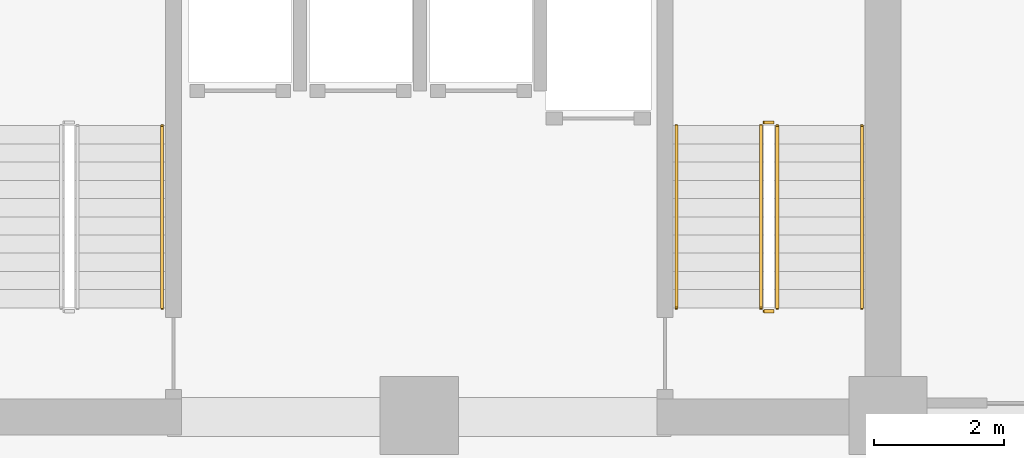
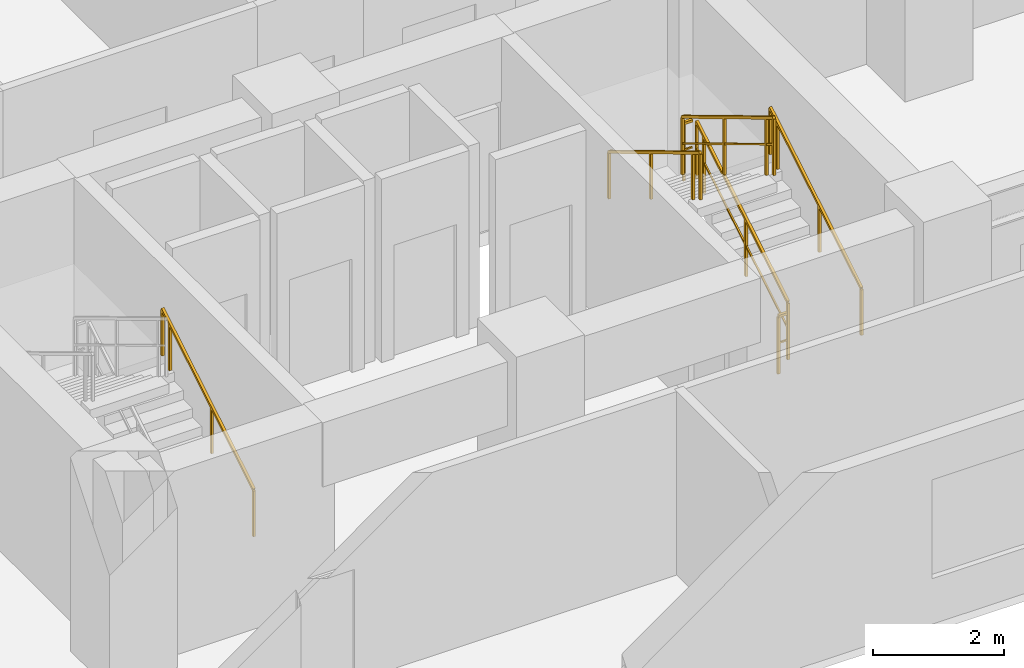
# One storey, part 10 of 11: 7 railings.
"""IFC4 building model written with IfcOpenShell, lengths in metres."""

import ifcopenshell
import ifcopenshell.guid

model = None  # the IFC model being written
_history = None  # IfcOwnerHistory: only IFC2X3 demands one
_inside = {}  # id of a spatial element -> (the spatial element, [elements in it])
_under = {}  # id of a project, library or spatial element -> (it, [spatial elements below it])
_declared = {}  # id of a project -> (the project, [libraries it declares])
_typed = {}  # id of a type object -> (the type object, [elements of that type])
_made_of = {}  # id of a material, layer set ... -> (it, [elements and type objects made of it])


def new_model(schema):
    """Start an empty IFC model of exactly this schema.

    Asked for "IFC4X3", IfcOpenShell would pick the latest addendum, in which some entities
    have other attributes; the version numbers below select the first issue.
    IFC2X3 requires an IfcOwnerHistory on every rooted entity: one is made here for all.
    """
    global model, _history
    if schema == "IFC4X3":
        model = ifcopenshell.file(schema_version=(4, 3, 0, 0))
    else:
        model = ifcopenshell.file(schema=schema)
    _inside.clear()
    _under.clear()
    _declared.clear()
    _typed.clear()
    _made_of.clear()
    _history = None
    if model.schema == "IFC2X3":
        org = make("IfcOrganization", Name="unknown")
        user = make(
            "IfcPersonAndOrganization",
            ThePerson=make("IfcPerson", FamilyName="unknown"),
            TheOrganization=org,
        )
        app = make(
            "IfcApplication",
            ApplicationDeveloper=org,
            Version="unknown",
            ApplicationFullName="unknown",
            ApplicationIdentifier="unknown",
        )
        _history = make(
            "IfcOwnerHistory",
            OwningUser=user,
            OwningApplication=app,
            ChangeAction="ADDED",
            CreationDate=0,
        )
    return model


def make(cls, **values):
    """One entity of the class cls with the attributes given. An attribute that is None is left unset."""
    return model.create_entity(
        cls, **{name: value for name, value in values.items() if value is not None}
    )


def rooted(cls, **values):
    """An entity with a GlobalId (a new one), such as an element, a storey or a relation."""
    return make(cls, GlobalId=ifcopenshell.guid.new(), OwnerHistory=_history, **values)


def si_unit(unit_type, name, prefix=None):
    """IfcSIUnit, for example si_unit("LENGTHUNIT", "METRE", prefix="MILLI")."""
    return make("IfcSIUnit", UnitType=unit_type, Prefix=prefix, Name=name)


def assignment(units):
    """IfcUnitAssignment: the units of a project."""
    return None if units is None else make("IfcUnitAssignment", Units=units)


def point(xyz):
    """IfcCartesianPoint."""
    return None if xyz is None else make("IfcCartesianPoint", Coordinates=xyz)


def direction(xyz):
    """IfcDirection."""
    return None if xyz is None else make("IfcDirection", DirectionRatios=xyz)


def frame(location, z_axis=None, x_axis=None):
    """IfcAxis2Placement3D, a coordinate frame: its origin and axes. An axis left out is left unset."""
    return make(
        "IfcAxis2Placement3D",
        Location=point(location),
        Axis=direction(z_axis),
        RefDirection=direction(x_axis),
    )


def frame_2d(location, x_axis=None):
    """IfcAxis2Placement2D, a coordinate frame in the plane: its origin and x axis."""
    return make(
        "IfcAxis2Placement2D", Location=point(location), RefDirection=direction(x_axis)
    )


def origin():
    """The frame at (0, 0, 0) with its axes left unset."""
    return frame((0.0, 0.0, 0.0))


def origin_2d():
    """The frame at (0, 0) in the plane with its x axis left unset."""
    return frame_2d((0.0, 0.0))


def place(relative_to, where):
    """IfcLocalPlacement: puts the frame where relative to a parent placement (None: the world)."""
    return make(
        "IfcLocalPlacement", PlacementRelTo=relative_to, RelativePlacement=where
    )


def context(
    kind, dimensions, precision=None, world=None, true_north=None, identifier=None
):
    """IfcGeometricRepresentationContext, for example the 3D "Model" context."""
    return make(
        "IfcGeometricRepresentationContext",
        ContextIdentifier=identifier,
        ContextType=kind,
        CoordinateSpaceDimension=dimensions,
        Precision=precision,
        WorldCoordinateSystem=world,
        TrueNorth=true_north,
    )


def subcontext(parent, identifier, kind, view, scale=None):
    """IfcGeometricRepresentationSubContext, for example "Body" below "Model"."""
    return make(
        "IfcGeometricRepresentationSubContext",
        ContextIdentifier=identifier,
        ContextType=kind,
        ParentContext=parent,
        TargetScale=scale,
        TargetView=view,
    )


def project(units=None, contexts=None):
    """IfcProject with its units and contexts."""
    return rooted(
        "IfcProject",
        Name="project",
        RepresentationContexts=contexts,
        UnitsInContext=assignment(units),
    )


def spatial(cls, under=None, at=None, **own):
    """A site, building, storey or space (cls), placed at a placement, below another one or the project."""
    s = rooted(cls, ObjectPlacement=at, **own)
    if under is not None:
        _under.setdefault(under.id(), (under, []))[1].append(s)
    return s


def profile(cls, at=None, kind="AREA", **sizes):
    """A parametric profile (cls). Its sizes go by their IFC names, for example OverallWidth=200.0."""
    return make(cls, ProfileType=kind, Position=at, **sizes)


def rectangle(**sizes):
    """IfcRectangleProfileDef."""
    return profile("IfcRectangleProfileDef", **sizes)


def extrude(swept, where, along, depth):
    """IfcExtrudedAreaSolid: the profile swept, set in the frame where, extruded along a direction by depth."""
    return make(
        "IfcExtrudedAreaSolid",
        SweptArea=swept,
        Position=where,
        ExtrudedDirection=direction(along),
        Depth=depth,
    )


def shape(context_of_items, identifier, shape_type, items):
    """IfcShapeRepresentation: the items that make up one representation, for example the "Body"."""
    return make(
        "IfcShapeRepresentation",
        ContextOfItems=context_of_items,
        RepresentationIdentifier=identifier,
        RepresentationType=shape_type,
        Items=items,
    )


def material(Name=None, Category=None):
    """IfcMaterial."""
    return make("IfcMaterial", Name=Name, Category=Category)


def made_of(thing, what):
    """Note that an element or type object is made of a material, layer set ...; save() writes the relation."""
    if what is not None:
        _made_of.setdefault(what.id(), (what, []))[1].append(thing)
    return thing


def type_object(cls, material=None, **own):
    """A type object (cls), such as IfcWallType, which elements share."""
    return made_of(rooted(cls, **own), material)


def element(
    cls,
    number,
    at=None,
    inside=None,
    cuts=None,
    type_object=None,
    material=None,
    context=None,
    identifier="Body",
    shape_type=None,
    held_by="IfcProductDefinitionShape",
    body=None,
    shapes=None,
    **own,
):
    """One element of the class cls, such as IfcWall. Its Tag is "e" and its number.

    at: its placement. inside: the storey or other place that contains it. cuts: it is an
    opening in that element (IfcRelVoidsElement). A single representation is given by context,
    identifier, shape_type and body (its items); several are given by shapes. held_by: the class
    of the entity that holds the representations. save() writes the other relations.
    """
    e = rooted(cls, Tag="e%d" % number, ObjectPlacement=at, **own)
    if body is not None:
        shapes = [shape(context, identifier, shape_type, body)]
    if shapes is not None:
        e.Representation = make(held_by, Representations=shapes)
    if inside is not None:
        _inside.setdefault(inside.id(), (inside, []))[1].append(e)
    if cuts is not None:
        rooted(
            "IfcRelVoidsElement", RelatingBuildingElement=cuts, RelatedOpeningElement=e
        )
    if type_object is not None:
        _typed.setdefault(type_object.id(), (type_object, []))[1].append(e)
    return made_of(e, material)


def aggregate(whole, parts):
    """IfcRelAggregates: a whole, such as a stair, and the parts it consists of."""
    return rooted("IfcRelAggregates", RelatingObject=whole, RelatedObjects=parts)


def save(model, path):
    """Write the relations noted so far, then the file.

    IfcRelAggregates (storeys below a building ...), IfcRelContainedInSpatialStructure (elements
    in a storey), IfcRelDefinesByType, IfcRelAssociatesMaterial and IfcRelDeclares: one each for
    every whole, place, type object, material and project.
    """
    for whole, parts in _under.values():
        aggregate(whole, parts)
    for where, things in _inside.values():
        rooted(
            "IfcRelContainedInSpatialStructure",
            RelatedElements=things,
            RelatingStructure=where,
        )
    for kind, things in _typed.values():
        rooted("IfcRelDefinesByType", RelatedObjects=things, RelatingType=kind)
    for what, things in _made_of.values():
        rooted("IfcRelAssociatesMaterial", RelatedObjects=things, RelatingMaterial=what)
    for by, libraries in _declared.values():
        rooted("IfcRelDeclares", RelatingContext=by, RelatedDefinitions=libraries)
    model.write(path)


model = new_model("IFC4")

# Units and contexts
model_context = context("Model", 3, precision=1e-05, world=origin(), true_north=direction((0.0, 1.0)))
body_context = subcontext(model_context, "Body", "Model", "MODEL_VIEW")
ifc_project = project(units=[si_unit("LENGTHUNIT", "METRE"), si_unit("AREAUNIT", "SQUARE_METRE"), si_unit("VOLUMEUNIT", "CUBIC_METRE"), si_unit("PLANEANGLEUNIT", "RADIAN"), si_unit("MASSUNIT", "GRAM", prefix="KILO")], contexts=[model_context])

# Site, building, storey
site_placement = place(None, origin())
site = spatial("IfcSite", under=ifc_project, at=site_placement, CompositionType="ELEMENT")
building_placement = place(site_placement, origin())
building = spatial("IfcBuilding", under=site, at=building_placement, Name="Kaliganga Portal Commons", CompositionType="ELEMENT")
storey_placement = place(building_placement, frame((0.0, 0.0, 89.699951171875)))
storey = spatial("IfcBuildingStorey", under=building, at=storey_placement, Name="L22", CompositionType="ELEMENT", Elevation=89.699951171875)

# Railings
ifc_material_1 = material(Name="Galvanized Painted Steel Balustrade", Category="steel")
railing_type_1 = type_object("IfcRailingType", Name="RLG-STAIR-GRD", PredefinedType="GUARDRAIL", material=ifc_material_1)
railing_1_placement = place(storey_placement, frame((48.699951171875, 8.699951171875, 0.168212890625)))
element("IfcRailing", 1, at=railing_1_placement, inside=storey, type_object=railing_type_1, Name="L22 ST-B2 stair guard 1", PredefinedType="GUARDRAIL", context=body_context, shape_type="SweptSolid", body=[
    extrude(rectangle(XDim=0.048095703125, YDim=0.048095703125, at=origin_2d()), frame((0.0, 0.0, 1.072021484375), z_axis=(0.0, 0.857242210791, 0.514913383045), x_axis=(-1.0, 0.0, 0.0)), (0.0, 0.0, 1.0), 3.266357421875),
    extrude(rectangle(XDim=0.028076171875, YDim=0.028076171875, at=origin_2d()), frame((0.0, 0.0, 0.572021484375), z_axis=(0.0, 0.857242210791, 0.514913383045), x_axis=(-1.0, 0.0, 0.0)), (0.0, 0.0, 1.0), 3.266357421875),
    extrude(rectangle(XDim=0.0419921875, YDim=0.0419921875, at=origin_2d()), origin(), (0.0, 0.0, 1.0), 1.052001953125),
    extrude(rectangle(XDim=0.0419921875, YDim=0.0419921875, at=origin_2d()), frame((0.0, 1.285888671875, 0.7724609375)), (0.0, 0.0, 1.0), 1.052001953125),
    extrude(rectangle(XDim=0.0419921875, YDim=0.0419921875, at=origin_2d()), frame((0.0, 2.57177734375, 1.544677734375)), (0.0, 0.0, 1.0), 1.052001953125),
    extrude(rectangle(XDim=0.0419921875, YDim=0.0419921875, at=origin_2d()), frame((0.0, 2.800048828125, 1.681884765625)), (0.0, 0.0, 1.0), 1.052001953125),
])
railing_2_placement = place(storey_placement, frame((48.64990234375, 11.550048828125, 1.85009765625)))
element("IfcRailing", 2, at=railing_2_placement, inside=storey, type_object=railing_type_1, Name="L22 ST-B2 stair guard 2", PredefinedType="GUARDRAIL", context=body_context, shape_type="SweptSolid", body=[
    extrude(rectangle(XDim=0.048095703125, YDim=0.048095703125, at=origin_2d()), frame((0.0, 0.0, 1.076171875), z_axis=(-1.0, 0.0, 0.0), x_axis=(0.0, -1.0, 0.0)), (0.0, 0.0, 1.0), 0.14990234375),
    extrude(rectangle(XDim=0.028076171875, YDim=0.028076171875, at=origin_2d()), frame((0.0, 0.0, 0.572021484375), z_axis=(-1.0, 0.0, 0.0), x_axis=(0.0, -1.0, 0.0)), (0.0, 0.0, 1.0), 0.14990234375),
    extrude(rectangle(XDim=0.0419921875, YDim=0.0419921875, at=origin_2d()), frame((-0.14990234375, 0.0, 0.0)), (0.0, 0.0, 1.0), 1.052001953125),
])
railing_3_placement = place(storey_placement, frame((48.449951171875, 11.5, 2.018310546875)))
element("IfcRailing", 3, at=railing_3_placement, inside=storey, type_object=railing_type_1, Name="L22 ST-B2 stair guard 3", PredefinedType="GUARDRAIL", context=body_context, shape_type="SweptSolid", body=[
    extrude(rectangle(XDim=0.048095703125, YDim=0.048095703125, at=origin_2d()), frame((0.0, 0.0, 1.072021484375), z_axis=(0.0, -0.857275202839, 0.514858452973), x_axis=(1.0, 0.0, 0.0)), (0.0, 0.0, 1.0), 3.26611328125),
    extrude(rectangle(XDim=0.028076171875, YDim=0.028076171875, at=origin_2d()), frame((0.0, 0.0, 0.572021484375), z_axis=(0.0, -0.857275202839, 0.514858452973), x_axis=(1.0, 0.0, 0.0)), (0.0, 0.0, 1.0), 3.26611328125),
    extrude(rectangle(XDim=0.0419921875, YDim=0.0419921875, at=origin_2d()), origin(), (0.0, 0.0, 1.0), 1.052001953125),
    extrude(rectangle(XDim=0.0419921875, YDim=0.0419921875, at=origin_2d()), frame((0.0, -1.285888671875, 0.772216796875)), (0.0, 0.0, 1.0), 1.052001953125),
    extrude(rectangle(XDim=0.0419921875, YDim=0.0419921875, at=origin_2d()), frame((0.0, -2.57177734375, 1.544677734375)), (0.0, 0.0, 1.0), 1.052001953125),
    extrude(rectangle(XDim=0.0419921875, YDim=0.0419921875, at=origin_2d()), frame((0.0, -2.800048828125, 1.681640625)), (0.0, 0.0, 1.0), 1.052001953125),
])
railing_4_placement = place(storey_placement, frame((48.64990234375, 8.64990234375, 0.0)))
element("IfcRailing", 4, at=railing_4_placement, inside=storey, type_object=railing_type_1, Name="L22 ST-B2 stair guard 4", PredefinedType="GUARDRAIL", context=body_context, shape_type="SweptSolid", body=[
    extrude(rectangle(XDim=0.048095703125, YDim=0.048095703125, at=origin_2d()), frame((0.0, 0.0, 1.076171875), z_axis=(-1.0, 0.0, 0.0), x_axis=(0.0, -1.0, 0.0)), (0.0, 0.0, 1.0), 0.14990234375),
    extrude(rectangle(XDim=0.028076171875, YDim=0.028076171875, at=origin_2d()), frame((0.0, 0.0, 0.572021484375), z_axis=(-1.0, 0.0, 0.0), x_axis=(0.0, -1.0, 0.0)), (0.0, 0.0, 1.0), 0.14990234375),
    extrude(rectangle(XDim=0.0419921875, YDim=0.0419921875, at=origin_2d()), frame((-0.14990234375, 0.0, 0.0)), (0.0, 0.0, 1.0), 1.052001953125),
])
ifc_material_2 = material(Name="Brushed Stainless Steel 316", Category="steel")
railing_type_2 = type_object("IfcRailingType", Name="RLG-STAIR-HR", PredefinedType="HANDRAIL", material=ifc_material_2)
for number, where, name in (
    (5, (39.25, 8.699951171875, 0.168212890625), "L22 ST-B1 stair handrail 1"),
    (6, (50.0, 8.699951171875, 0.168212890625), "L22 ST-B2 stair handrail 1"),
):
    element("IfcRailing", number, at=place(storey_placement, frame(where)), inside=storey, type_object=railing_type_2, Name=name, PredefinedType="HANDRAIL", context=body_context, shape_type="SweptSolid", body=[
        extrude(rectangle(XDim=0.048095703125, YDim=0.048095703125, at=origin_2d()), frame((0.0, 0.0, 0.871826171875), z_axis=(0.0, 0.857242210791, 0.514913383045), x_axis=(-1.0, 0.0, 0.0)), (0.0, 0.0, 1.0), 3.266357421875),
        extrude(rectangle(XDim=0.0419921875, YDim=0.0419921875, at=origin_2d()), origin(), (0.0, 0.0, 1.0), 0.851806640625),
        extrude(rectangle(XDim=0.0419921875, YDim=0.0419921875, at=origin_2d()), frame((0.0, 1.285888671875, 0.7724609375)), (0.0, 0.0, 1.0), 0.851806640625),
        extrude(rectangle(XDim=0.0419921875, YDim=0.0419921875, at=origin_2d()), frame((0.0, 2.57177734375, 1.544677734375)), (0.0, 0.0, 1.0), 0.851806640625),
        extrude(rectangle(XDim=0.0419921875, YDim=0.0419921875, at=origin_2d()), frame((0.0, 2.800048828125, 1.681884765625)), (0.0, 0.0, 1.0), 0.851806640625),
    ])
railing_5_placement = place(storey_placement, frame((47.14990234375, 11.5, 2.018310546875)))
element("IfcRailing", 7, at=railing_5_placement, inside=storey, type_object=railing_type_2, Name="L22 ST-B2 stair handrail 2", PredefinedType="HANDRAIL", context=body_context, shape_type="SweptSolid", body=[
    extrude(rectangle(XDim=0.048095703125, YDim=0.048095703125, at=origin_2d()), frame((0.0, 0.0, 0.871826171875), z_axis=(0.0, -0.857275202839, 0.514858452973), x_axis=(1.0, 0.0, 0.0)), (0.0, 0.0, 1.0), 3.26611328125),
    extrude(rectangle(XDim=0.0419921875, YDim=0.0419921875, at=origin_2d()), origin(), (0.0, 0.0, 1.0), 0.851806640625),
    extrude(rectangle(XDim=0.0419921875, YDim=0.0419921875, at=origin_2d()), frame((0.0, -1.285888671875, 0.772216796875)), (0.0, 0.0, 1.0), 0.851806640625),
    extrude(rectangle(XDim=0.0419921875, YDim=0.0419921875, at=origin_2d()), frame((0.0, -2.57177734375, 1.544677734375)), (0.0, 0.0, 1.0), 0.851806640625),
    extrude(rectangle(XDim=0.0419921875, YDim=0.0419921875, at=origin_2d()), frame((0.0, -2.800048828125, 1.681640625)), (0.0, 0.0, 1.0), 0.851806640625),
])

save(model, "model.ifc")
